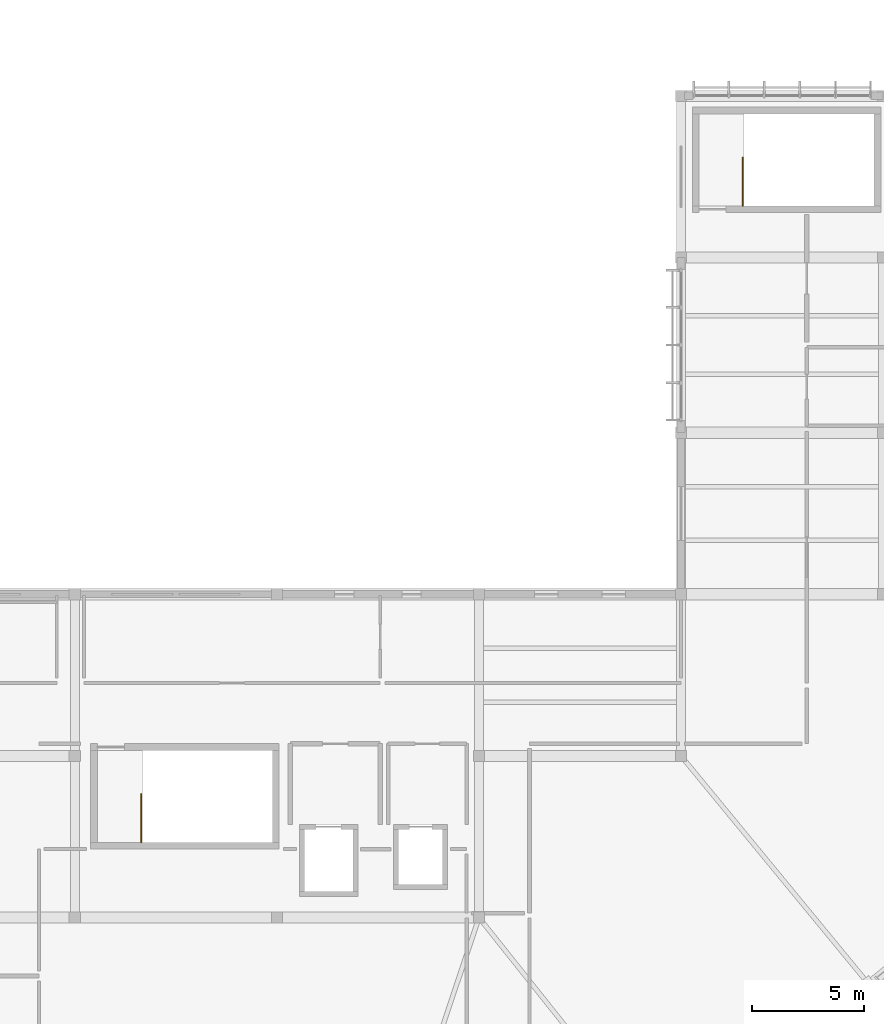
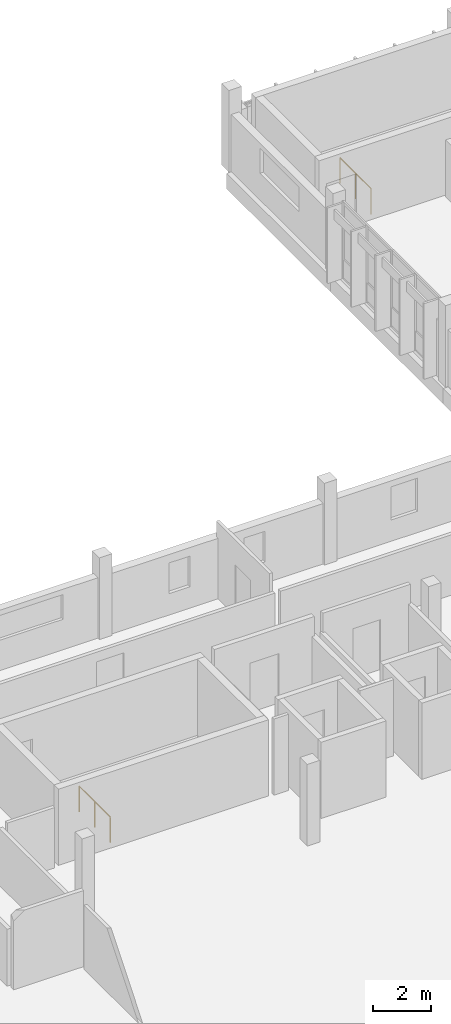
# One storey, part 24 of 24: 2 railings.
"""IFC4 building model written with IfcOpenShell, lengths in metres."""

from ifc_helpers import new_model, si_unit, direction, frame, origin, origin_2d, place, context, subcontext, project, spatial, circle, extrude, material, layer, layer_set, type_object, element, save


model = new_model("IFC4")

# Units and contexts
model_context = context("Model", 3, precision=1e-05, world=origin(), true_north=direction((0.0, 1.0)))
body_context = subcontext(model_context, "Body", "Model", "MODEL_VIEW")
ifc_project = project(units=[si_unit("LENGTHUNIT", "METRE"), si_unit("AREAUNIT", "SQUARE_METRE"), si_unit("VOLUMEUNIT", "CUBIC_METRE"), si_unit("PLANEANGLEUNIT", "RADIAN"), si_unit("MASSUNIT", "GRAM", prefix="KILO")], contexts=[model_context])

# Site, building, storey
site_placement = place(None, origin())
site = spatial("IfcSite", under=ifc_project, at=site_placement, CompositionType="ELEMENT")
building_placement = place(site_placement, origin())
building = spatial("IfcBuilding", under=site, at=building_placement, Name="Chiffa Square Polytechnic", CompositionType="ELEMENT")
storey_placement = place(building_placement, frame((0.0, 0.0, 26.39990234375)))
storey = spatial("IfcBuildingStorey", under=building, at=storey_placement, Name="L06", CompositionType="ELEMENT", Elevation=26.39990234375)

# Railings
ifc_material = material(Name="Steel S355", Category="steel")
ifc_layer = layer(ifc_material, 0.050048828125, Name="Steel S355")
ifc_layer_set = layer_set([ifc_layer], Name="Steel S355")
railing_type = type_object("IfcRailingType", Name="RL-STAIR-GUARD", PredefinedType="GUARDRAIL", material=ifc_layer_set)
for number, where, name in (
    (1, (124.14990234375, 17.75, 0.0), "L06 ST-V1A top well guard 1"),
    (2, (150.949951171875, 46.10009765625, 0.0), "L06 ST-V1B top well guard 1"),
):
    element("IfcRailing", number, at=place(storey_placement, frame(where)), inside=storey, type_object=railing_type, Name=name, PredefinedType="GUARDRAIL", context=body_context, shape_type="SweptSolid", body=[
        extrude(circle(Radius=0.02392578125, at=origin_2d()), frame((0.0, 0.0, 1.076171875), z_axis=(0.0, 1.0, 0.0), x_axis=(-1.0, 0.0, 0.0)), (0.0, 0.0, 1.0), 2.14990234375),
        extrude(circle(Radius=0.02099609375, at=origin_2d()), origin(), (0.0, 0.0, 1.0), 1.052001953125),
        extrude(circle(Radius=0.02099609375, at=origin_2d()), frame((0.0, 1.074951171875, 0.0)), (0.0, 0.0, 1.0), 1.052001953125),
        extrude(circle(Radius=0.02099609375, at=origin_2d()), frame((0.0, 2.14990234375, 0.0)), (0.0, 0.0, 1.0), 1.052001953125),
    ])

save(model, "model.ifc")
